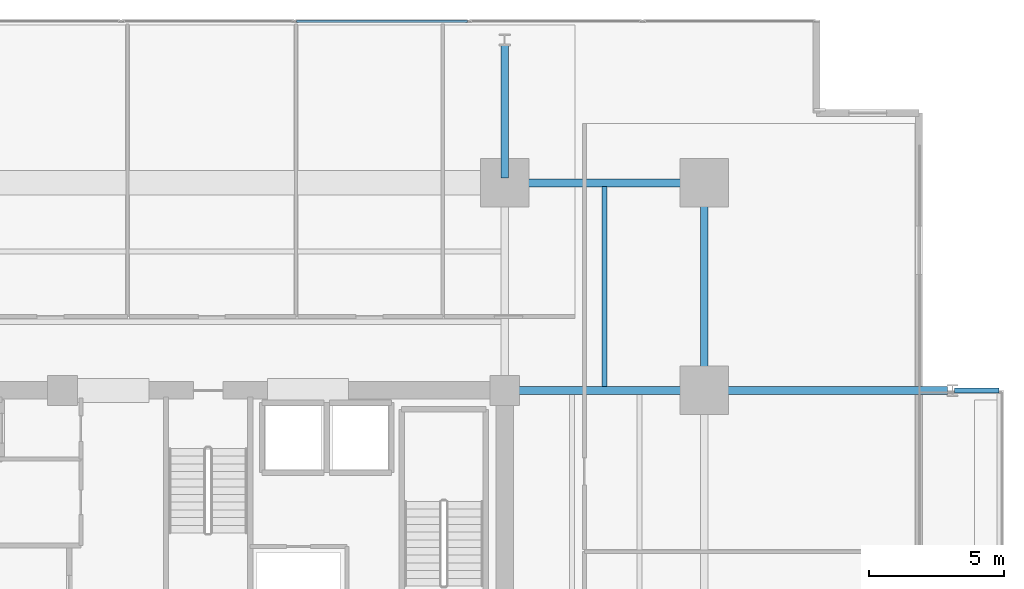
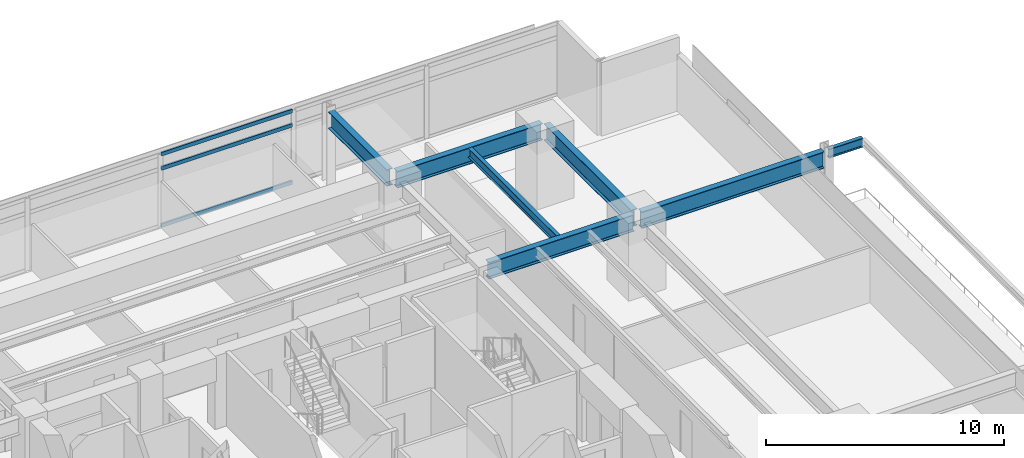
# One storey, part 10 of 23: 7 beams, 3 members, 1 element without a shape of its own.
"""IFC4 building model written with IfcOpenShell, lengths in metres."""

from ifc_helpers import new_model, si_unit, direction, frame, origin, origin_2d, place, context, subcontext, project, spatial, hollow_rectangle, i_section, extrude, material, material_profile, profile_set, type_object, element, aggregate, save


model = new_model("IFC4")

# Units and contexts
model_context = context("Model", 3, precision=1e-05, world=origin(), true_north=direction((0.0, 1.0)))
body_context = subcontext(model_context, "Body", "Model", "MODEL_VIEW")
ifc_project = project(units=[si_unit("LENGTHUNIT", "METRE"), si_unit("AREAUNIT", "SQUARE_METRE"), si_unit("VOLUMEUNIT", "CUBIC_METRE"), si_unit("PLANEANGLEUNIT", "RADIAN"), si_unit("MASSUNIT", "GRAM", prefix="KILO")], contexts=[model_context])

# Site, building, storey
site_placement = place(None, origin())
site = spatial("IfcSite", under=ifc_project, at=site_placement, CompositionType="ELEMENT")
building_placement = place(site_placement, origin())
building = spatial("IfcBuilding", under=site, at=building_placement, Name="Kovane Verandah Tower", CompositionType="ELEMENT")
storey_placement = place(building_placement, frame((0.0, 0.0, 91.60009765625)))
storey = spatial("IfcBuildingStorey", under=building, at=storey_placement, Name="L21", CompositionType="ELEMENT", Elevation=91.60009765625)

# Beams
ifc_material_1 = material(Name="Steel S355", Category="steel")
ifc_material_profile_1 = material_profile(ifc_material_1, i_section(OverallWidth=0.293701171875, OverallDepth=0.850830078125, WebThickness=0.01611328125, FlangeThickness=0.02685546875, FilletRadius=0.017822265625, at=origin_2d()), Name="UB838x292x226")
ifc_profile_set_1 = profile_set([ifc_material_profile_1], Name="Steel S355")
beam_type_1 = type_object("IfcBeamType", Name="BM-UB838x226", PredefinedType="BEAM", material=ifc_profile_set_1)
beam_1_placement = place(storey_placement, frame((51.179931640625, 44.199951171875, 3.33447265625), z_axis=(1.0, 0.0, 0.0), x_axis=(0.0, 1.0, 0.0)))
element("IfcBeam", 1, at=beam_1_placement, inside=storey, type_object=beam_type_1, Name="L21 Primary Tower Girder G-RN3", PredefinedType="BEAM", context=body_context, shape_type="SweptSolid", body=[
    extrude(i_section(OverallWidth=0.293701171875, OverallDepth=0.850830078125, WebThickness=0.01611328125, FlangeThickness=0.02685546875, FilletRadius=0.017822265625, at=origin_2d()), origin(), (0.0, 0.0, 1.0), 7.0400390625),
])
beam_2_placement = place(storey_placement, frame((58.39990234375, 36.679931640625, 3.33447265625), z_axis=(0.0, 1.0, 0.0), x_axis=(-1.0, 0.0, 0.0)))
element("IfcBeam", 2, at=beam_2_placement, inside=storey, type_object=beam_type_1, Name="L21 Primary Tower Girder G-RE3", PredefinedType="BEAM", context=body_context, shape_type="SweptSolid", body=[
    extrude(i_section(OverallWidth=0.293701171875, OverallDepth=0.850830078125, WebThickness=0.01611328125, FlangeThickness=0.02685546875, FilletRadius=0.017822265625, at=origin_2d()), origin(), (0.0, 0.0, 1.0), 7.340087890625),
])
beam_3_placement = place(storey_placement, frame((51.179931640625, 36.5, 3.33447265625), z_axis=(1.0, 0.0, 0.0), x_axis=(0.0, 1.0, 0.0)))
element("IfcBeam", 3, at=beam_3_placement, inside=storey, type_object=beam_type_1, Name="L21 Primary Tower Girder G-E2", PredefinedType="BEAM", context=body_context, shape_type="SweptSolid", body=[
    extrude(i_section(OverallWidth=0.293701171875, OverallDepth=0.850830078125, WebThickness=0.01611328125, FlangeThickness=0.02685546875, FilletRadius=0.017822265625, at=origin_2d()), origin(), (0.0, 0.0, 1.0), 7.0400390625),
])
beam_4_placement = place(storey_placement, frame((58.580078125, 36.5, 3.33447265625), z_axis=(1.0, 0.0, 0.0), x_axis=(0.0, 1.0, 0.0)))
element("IfcBeam", 4, at=beam_4_placement, inside=storey, type_object=beam_type_1, Name="L21 Primary Tower Girder G-VE2", PredefinedType="BEAM", context=body_context, shape_type="SweptSolid", body=[
    extrude(i_section(OverallWidth=0.293701171875, OverallDepth=0.850830078125, WebThickness=0.01611328125, FlangeThickness=0.02685546875, FilletRadius=0.017822265625, at=origin_2d()), origin(), (0.0, 0.0, 1.0), 8.83984375),
])
beam_5_placement = place(storey_placement, frame((51.0, 44.3798828125, 3.33447265625), z_axis=(0.0, 1.0, 0.0), x_axis=(-1.0, 0.0, 0.0)))
element("IfcBeam", 5, at=beam_5_placement, inside=storey, type_object=beam_type_1, Name="L21 Primary Tower Girder G-VN2", PredefinedType="BEAM", context=body_context, shape_type="SweptSolid", body=[
    extrude(i_section(OverallWidth=0.293701171875, OverallDepth=0.850830078125, WebThickness=0.01611328125, FlangeThickness=0.02685546875, FilletRadius=0.017822265625, at=origin_2d()), origin(), (0.0, 0.0, 1.0), 4.940185546875),
])

# Curtain wall, members
ifc_material_2 = material(Name="Champagne Anodised Aluminium Frame with Low-E Clear Laminated Glass", Category="aluminium")
curtain_wall_type = type_object("IfcCurtainWallType", Name="CW-SYS-02-LOW", PredefinedType="NOTDEFINED", material=ifc_material_2)
curtain_wall_placement = place(storey_placement, origin())
curtain_wall = element("IfcCurtainWall", 6, at=curtain_wall_placement, inside=storey, type_object=curtain_wall_type, Name="L21 N Unitised Curtain Wall", PredefinedType="NOTDEFINED")
ifc_material_3 = material(Name="Champagne Anodised Aluminium 6063-T6", Category="aluminium")
ifc_material_profile_2 = material_profile(ifc_material_3, hollow_rectangle(XDim=0.0849609375, YDim=0.18994140625, WallThickness=0.00390625, at=origin_2d()), Name="AL85x190x4")
ifc_profile_set_2 = profile_set([ifc_material_profile_2], Name="Champagne Anodised Aluminium 6063-T6")
member_type = type_object("IfcMemberType", Name="CW-TRN-85x190", PredefinedType="USERDEFINED", material=ifc_profile_set_2)
member_1_placement = place(storey_placement, frame((49.620361328125, 50.19482421875, 0.0498046875), z_axis=(-1.0, 0.0, 0.0), x_axis=(0.0, -1.0, 0.0)))
member_1 = element("IfcMember", 7, at=member_1_placement, type_object=member_type, Name="L21 N Unitised Curtain Wall Transom TB Bay 3", ObjectType="TRANSOM", PredefinedType="USERDEFINED", context=body_context, shape_type="SweptSolid", body=[
    extrude(hollow_rectangle(XDim=0.0849609375, YDim=0.18994140625, WallThickness=0.00390625, at=origin_2d()), origin(), (0.0, 0.0, 1.0), 6.346923828125),
])
member_2_placement = place(storey_placement, frame((49.620361328125, 50.19482421875, 2.97998046875), z_axis=(-1.0, 0.0, 0.0), x_axis=(0.0, -1.0, 0.0)))
member_2 = element("IfcMember", 8, at=member_2_placement, type_object=member_type, Name="L21 N Unitised Curtain Wall Transom TM Bay 3", ObjectType="TRANSOM", PredefinedType="USERDEFINED", context=body_context, shape_type="SweptSolid", body=[
    extrude(hollow_rectangle(XDim=0.0849609375, YDim=0.18994140625, WallThickness=0.00390625, at=origin_2d()), origin(), (0.0, 0.0, 1.0), 6.346923828125),
])
member_3_placement = place(storey_placement, frame((49.620361328125, 50.19482421875, 3.7099609375), z_axis=(-1.0, 0.0, 0.0), x_axis=(0.0, -1.0, 0.0)))
member_3 = element("IfcMember", 9, at=member_3_placement, type_object=member_type, Name="L21 N Unitised Curtain Wall Transom TT Bay 3", ObjectType="TRANSOM", PredefinedType="USERDEFINED", context=body_context, shape_type="SweptSolid", body=[
    extrude(hollow_rectangle(XDim=0.0849609375, YDim=0.18994140625, WallThickness=0.00390625, at=origin_2d()), origin(), (0.0, 0.0, 1.0), 6.346923828125),
])
aggregate(curtain_wall, [member_1, member_2, member_3])

# Beams
ifc_material_profile_3 = material_profile(ifc_material_1, i_section(OverallWidth=0.19287109375, OverallDepth=0.46728515625, WebThickness=0.011474609375, FlangeThickness=0.01953125, FilletRadius=0.01025390625, at=origin_2d()), Name="UB457x191x98")
ifc_profile_set_3 = profile_set([ifc_material_profile_3], Name="Steel S355")
beam_type_2 = type_object("IfcBeamType", Name="JST-UB457x98", PredefinedType="JOIST", material=ifc_profile_set_3)
beam_6_placement = place(storey_placement, frame((54.699951171875, 36.64501953125, 3.5263671875), z_axis=(0.0, 1.0, 0.0), x_axis=(-1.0, 0.0, 0.0)))
element("IfcBeam", 10, at=beam_6_placement, inside=storey, type_object=beam_type_2, Name="L21 Secondary Composite Joist J-NE1", PredefinedType="JOIST", context=body_context, shape_type="SweptSolid", body=[
    extrude(i_section(OverallWidth=0.19287109375, OverallDepth=0.46728515625, WebThickness=0.011474609375, FlangeThickness=0.01953125, FilletRadius=0.01025390625, at=origin_2d()), origin(), (0.0, 0.0, 1.0), 7.41015625),
])
beam_7_placement = place(storey_placement, frame((67.679931640625, 36.5, 3.5263671875), z_axis=(1.0, 0.0, 0.0), x_axis=(0.0, 1.0, 0.0)))
element("IfcBeam", 11, at=beam_7_placement, inside=storey, type_object=beam_type_2, Name="L21 East Planter Girder 2", PredefinedType="JOIST", context=body_context, shape_type="SweptSolid", body=[
    extrude(i_section(OverallWidth=0.19287109375, OverallDepth=0.46728515625, WebThickness=0.011474609375, FlangeThickness=0.01953125, FilletRadius=0.01025390625, at=origin_2d()), origin(), (0.0, 0.0, 1.0), 1.656982421875),
])

save(model, "model.ifc")
